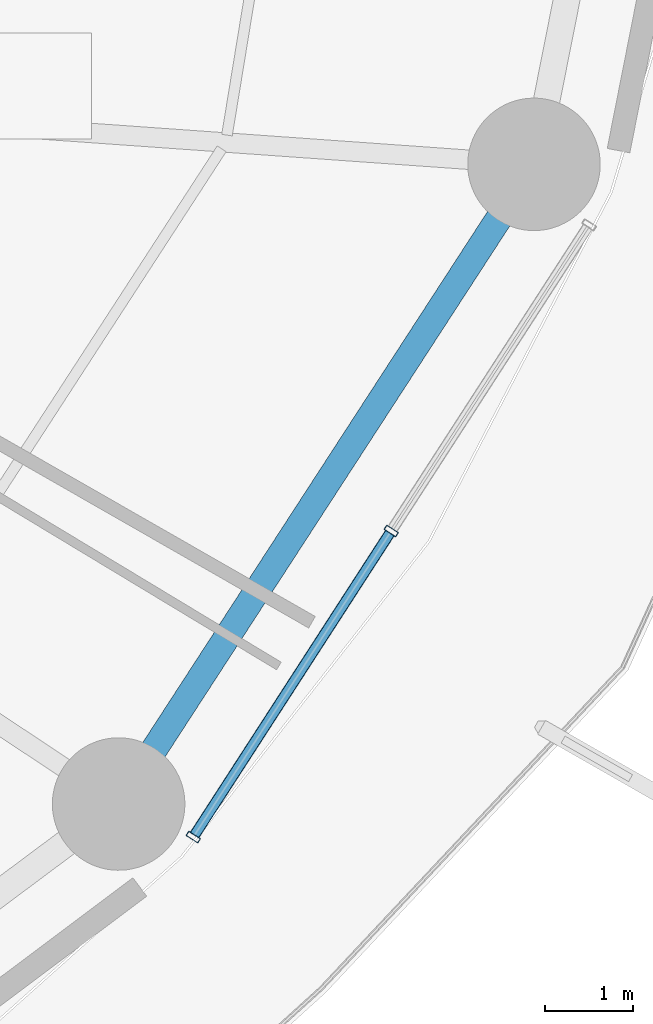
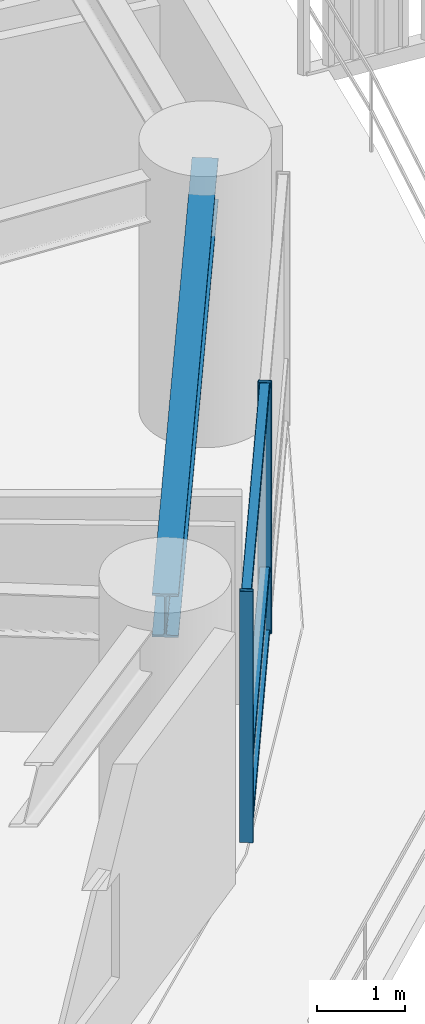
# One storey, part 10 of 33: 5 members, 1 beam, 1 element without a shape of its own.
"""IFC4 building model written with IfcOpenShell, lengths in metres."""

from ifc_helpers import new_model, si_unit, direction, frame, origin, origin_2d, place, context, subcontext, project, spatial, hollow_rectangle, i_section, extrude, material, layer, layer_set, material_profile, profile_set, type_object, element, aggregate, save


model = new_model("IFC4")

# Units and contexts
model_context = context("Model", 3, precision=1e-05, world=origin(), true_north=direction((0.0, 1.0)))
body_context = subcontext(model_context, "Body", "Model", "MODEL_VIEW")
ifc_project = project(units=[si_unit("LENGTHUNIT", "METRE"), si_unit("AREAUNIT", "SQUARE_METRE"), si_unit("VOLUMEUNIT", "CUBIC_METRE"), si_unit("PLANEANGLEUNIT", "RADIAN"), si_unit("MASSUNIT", "GRAM", prefix="KILO")], contexts=[model_context])

# Site, building, storey
site_placement = place(None, origin())
site = spatial("IfcSite", under=ifc_project, at=site_placement, CompositionType="ELEMENT")
building_placement = place(site_placement, origin())
building = spatial("IfcBuilding", under=site, at=building_placement, Name="Kelanora Arch Commons", CompositionType="ELEMENT")
storey_placement = place(building_placement, frame((0.0, 0.0, 41.25)))
storey = spatial("IfcBuildingStorey", under=building, at=storey_placement, Name="L10", CompositionType="ELEMENT", Elevation=41.25)

# Beam
ifc_material_1 = material(Name="Steel S355", Category="steel")
ifc_material_profile_1 = material_profile(ifc_material_1, i_section(OverallWidth=0.300048828125, OverallDepth=0.60009765625, WebThickness=0.015380859375, FlangeThickness=0.030029296875, FilletRadius=0.027099609375, at=origin_2d()), Name="HEB600")
ifc_profile_set_1 = profile_set([ifc_material_profile_1], Name="Steel S355")
beam_type = type_object("IfcBeamType", Name="BM-SPN-Z1", PredefinedType="SPANDREL", material=ifc_profile_set_1)
beam_placement = place(storey_placement, frame((94.744384765625, 42.521728515625, 3.18994140625), z_axis=(0.544585813928, 0.838705127722, 0.0), x_axis=(-0.838705127722, 0.544585813928, 0.0)))
element("IfcBeam", 1, at=beam_placement, inside=storey, type_object=beam_type, Name="Perimeter Spandrel Beam BS-32 L10", PredefinedType="SPANDREL", context=body_context, shape_type="SweptSolid", body=[
    extrude(i_section(OverallWidth=0.300048828125, OverallDepth=0.60009765625, WebThickness=0.015380859375, FlangeThickness=0.030029296875, FilletRadius=0.027099609375, at=origin_2d()), origin(), (0.0, 0.0, 1.0), 8.63525390625),
])

# Curtain wall, members
ifc_material_2 = material(Name="Terracotta ceramic-fritted low-E glass and aluminium", Category="masonry")
ifc_layer = layer(ifc_material_2, 0.159912109375)
ifc_layer_set = layer_set([ifc_layer], Name="Terracotta ceramic-fritted low-E glass and aluminium")
curtain_wall_type = type_object("IfcCurtainWallType", Name="CW-SYS-01", PredefinedType="NOTDEFINED", material=ifc_layer_set)
curtain_wall_placement = place(storey_placement, origin())
curtain_wall = element("IfcCurtainWall", 2, at=curtain_wall_placement, inside=storey, type_object=curtain_wall_type, Name="Unitised Curtain Wall L10-B16", PredefinedType="NOTDEFINED")
ifc_material_3 = material(Name="Powder-coated aluminium terracotta", Category="masonry")
ifc_material_profile_2 = material_profile(ifc_material_3, hollow_rectangle(XDim=0.159912109375, YDim=0.06005859375, WallThickness=0.0048828125, InnerFilletRadius=0.0048828125, OuterFilletRadius=0.010009765625, at=origin_2d()), Name="CWM160x60")
ifc_profile_set_2 = profile_set([ifc_material_profile_2], Name="Powder-coated aluminium terracotta")
member_type_1 = type_object("IfcMemberType", Name="CWM-STD", PredefinedType="MULLION", material=ifc_profile_set_2)
member_1_placement = place(storey_placement, frame((95.58935546875, 42.14697265625, 0.0), z_axis=(0.0, 0.0, 1.0), x_axis=(-0.83972982332, 0.543004441812, 0.0)))
member_1 = element("IfcMember", 3, at=member_1_placement, type_object=member_type_1, Name="CW-01 mullion 1", PredefinedType="MULLION", context=body_context, shape_type="SweptSolid", body=[
    extrude(hollow_rectangle(XDim=0.159912109375, YDim=0.06005859375, WallThickness=0.0048828125, InnerFilletRadius=0.0048828125, OuterFilletRadius=0.010009765625, at=origin_2d()), origin(), (0.0, 0.0, 1.0), 3.47509765625),
])
member_2_placement = place(storey_placement, frame((97.830810546875, 45.61328125, 0.0), z_axis=(0.0, 0.0, 1.0), x_axis=(-0.83972982332, 0.543004441812, 0.0)))
member_2 = element("IfcMember", 4, at=member_2_placement, type_object=member_type_1, Name="CW-01 mullion 2", PredefinedType="MULLION", context=body_context, shape_type="SweptSolid", body=[
    extrude(hollow_rectangle(XDim=0.159912109375, YDim=0.06005859375, WallThickness=0.0048828125, InnerFilletRadius=0.0048828125, OuterFilletRadius=0.010009765625, at=origin_2d()), origin(), (0.0, 0.0, 1.0), 3.47509765625),
])
ifc_material_profile_3 = material_profile(ifc_material_3, hollow_rectangle(XDim=0.1201171875, YDim=0.06005859375, WallThickness=0.0048828125, InnerFilletRadius=0.0048828125, OuterFilletRadius=0.010009765625, at=origin_2d()), Name="CWT120x60")
ifc_profile_set_3 = profile_set([ifc_material_profile_3], Name="Powder-coated aluminium terracotta")
member_type_2 = type_object("IfcMemberType", Name="CWT-STD", PredefinedType="USERDEFINED", material=ifc_profile_set_3)
member_3_placement = place(storey_placement, frame((95.605712890625, 42.17236328125, 0.030029296875), z_axis=(0.542997414293, 0.839734367566, 0.0), x_axis=(-0.839734367566, 0.542997414293, 0.0)))
member_3 = element("IfcMember", 5, at=member_3_placement, type_object=member_type_2, Name="CW-01 transom 1.1", ObjectType="TRANSOM", PredefinedType="USERDEFINED", context=body_context, shape_type="SweptSolid", body=[
    extrude(hollow_rectangle(XDim=0.1201171875, YDim=0.06005859375, WallThickness=0.0048828125, InnerFilletRadius=0.0048828125, OuterFilletRadius=0.010009765625, at=origin_2d()), origin(), (0.0, 0.0, 1.0), 4.067626953125),
])
member_4_placement = place(storey_placement, frame((95.605712890625, 42.17236328125, 0.89990234375), z_axis=(0.542997414293, 0.839734367566, 0.0), x_axis=(-0.839734367566, 0.542997414293, 0.0)))
member_4 = element("IfcMember", 6, at=member_4_placement, type_object=member_type_2, Name="CW-01 transom 1.2", ObjectType="TRANSOM", PredefinedType="USERDEFINED", context=body_context, shape_type="SweptSolid", body=[
    extrude(hollow_rectangle(XDim=0.1201171875, YDim=0.06005859375, WallThickness=0.0048828125, InnerFilletRadius=0.0048828125, OuterFilletRadius=0.010009765625, at=origin_2d()), origin(), (0.0, 0.0, 1.0), 4.067626953125),
])
member_5_placement = place(storey_placement, frame((95.605712890625, 42.17236328125, 3.445068359375), z_axis=(0.542997414293, 0.839734367566, 0.0), x_axis=(-0.839734367566, 0.542997414293, 0.0)))
member_5 = element("IfcMember", 7, at=member_5_placement, type_object=member_type_2, Name="CW-01 transom 1.3", ObjectType="TRANSOM", PredefinedType="USERDEFINED", context=body_context, shape_type="SweptSolid", body=[
    extrude(hollow_rectangle(XDim=0.1201171875, YDim=0.06005859375, WallThickness=0.0048828125, InnerFilletRadius=0.0048828125, OuterFilletRadius=0.010009765625, at=origin_2d()), origin(), (0.0, 0.0, 1.0), 4.067626953125),
])
aggregate(curtain_wall, [member_1, member_2, member_3, member_4, member_5])

save(model, "model.ifc")
